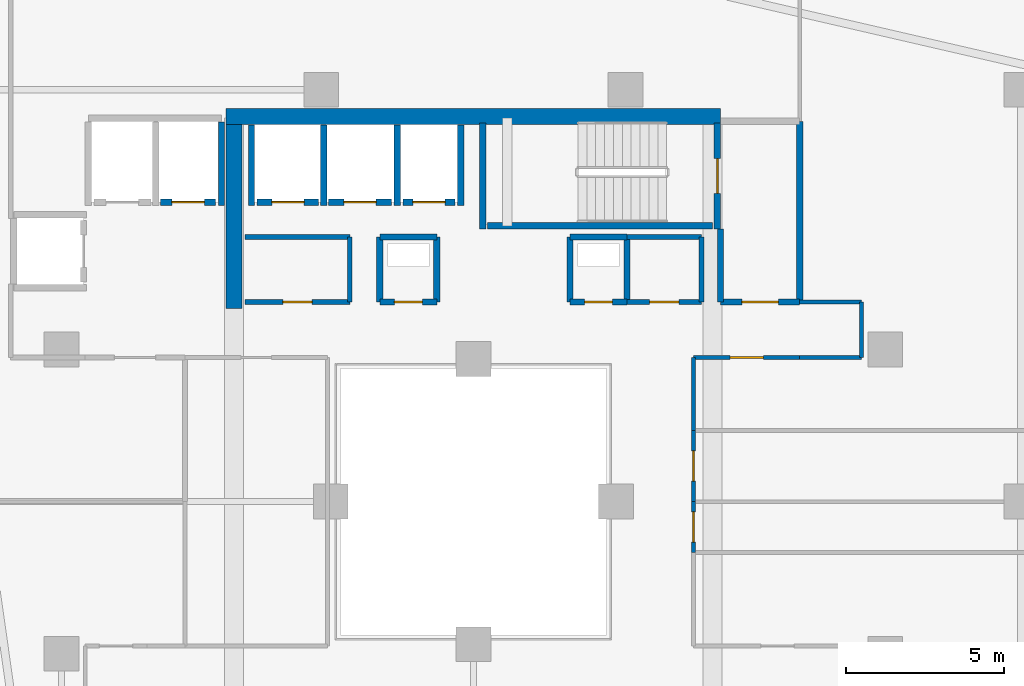
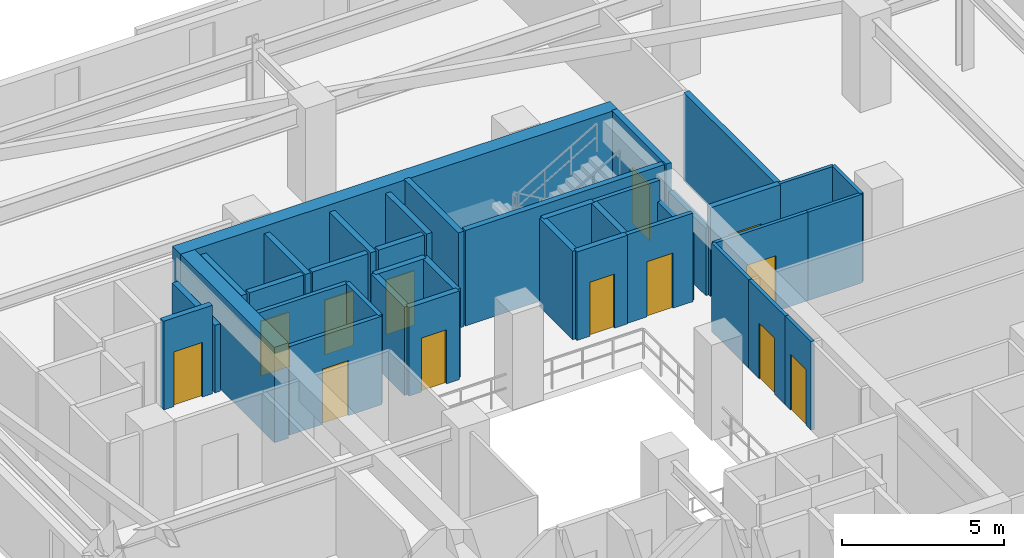
# One storey, part 21 of 33: 38 walls, 13 doors, 13 openings.
"""IFC4 building model written with IfcOpenShell, lengths in metres."""

from ifc_helpers import new_model, si_unit, direction, frame, frame_2d, origin, place, context, subcontext, project, spatial, rectangle, extrude, material, layer, layer_set, type_object, element, fill, save


model = new_model("IFC4")

# Units and contexts
model_context = context("Model", 3, precision=1e-05, world=origin(), true_north=direction((0.0, 1.0)))
body_context = subcontext(model_context, "Body", "Model", "MODEL_VIEW")
ifc_project = project(units=[si_unit("LENGTHUNIT", "METRE"), si_unit("AREAUNIT", "SQUARE_METRE"), si_unit("VOLUMEUNIT", "CUBIC_METRE"), si_unit("PLANEANGLEUNIT", "RADIAN"), si_unit("MASSUNIT", "GRAM", prefix="KILO")], contexts=[model_context])

# Site, building, storey
site_placement = place(None, origin())
site = spatial("IfcSite", under=ifc_project, at=site_placement, CompositionType="ELEMENT")
building_placement = place(site_placement, origin())
building = spatial("IfcBuilding", under=site, at=building_placement, Name="Thornwick Lancets Civic Towers", CompositionType="ELEMENT")
storey_placement = place(building_placement, frame((0.0, 0.0, 189.300048828125)))
storey = spatial("IfcBuildingStorey", under=building, at=storey_placement, Name="L50", CompositionType="ELEMENT", Elevation=189.300048828125)

# Wall, opening, door
ifc_material_1 = material(Name="Concrete blockwork C40/50", Category="masonry")
ifc_layer_1 = layer(ifc_material_1, 0.199951171875, Name="Concrete blockwork C40/50")
ifc_layer_set_1 = layer_set([ifc_layer_1], Name="Concrete blockwork C40/50")
wall_type_1 = type_object("IfcWallType", Name="WALL_COMP_200", PredefinedType="STANDARD", material=ifc_layer_set_1)
wall_1_placement = place(storey_placement, frame((24.919921875, 36.449951171875, 0.0), z_axis=(0.0, 0.0, 1.0), x_axis=(-1.0, 0.0, 0.0)))
wall_1 = element("IfcWall", 1, at=wall_1_placement, inside=storey, type_object=wall_type_1, Name="L50 Hoistway Front Wall FL-A2", PredefinedType="STANDARD", context=body_context, shape_type="SweptSolid", body=[
    extrude(rectangle(XDim=1.639892578125, YDim=0.199951171875, at=frame_2d((0.81982421875, 0.0))), origin(), (0.0, 0.0, 1.0), 3.33984375),
])
opening_1_placement = place(wall_1_placement, frame((0.31005859375, 0.0, 0.0)))
opening_1 = element("IfcOpeningElement", 2, at=opening_1_placement, cuts=wall_1, Name="Opening LD-FL-A2", PredefinedType="OPENING", context=body_context, shape_type="SweptSolid", body=[
    extrude(rectangle(XDim=1.02001953125, YDim=2.06005859375, at=frame_2d((0.510009765625, 1.030029296875))), frame((0.0, 0.10986328125, 0.0), z_axis=(0.0, -1.0, 0.0), x_axis=(1.0, 0.0, 0.0)), (0.0, 0.0, 1.0), 0.219970703125),
])
ifc_material_2 = material(Name="Brushed bronze stainless steel", Category="steel")
door_type_1 = type_object("IfcDoorType", Name="DOOR_LIFT_SLIDE", OperationType="SLIDING_TO_LEFT", PredefinedType="DOOR", material=ifc_material_2)
door_1_placement = place(opening_1_placement, origin())
door_1 = element("IfcDoor", 3, at=door_1_placement, inside=storey, type_object=door_type_1, Name="L50 Sliding Lift Landing Door LD-FL-A2", OperationType="SLIDING_TO_LEFT", OverallHeight=2.06005859375, OverallWidth=1.02001953125, PredefinedType="DOOR", context=body_context, shape_type="SweptSolid", body=[
    extrude(rectangle(XDim=1.02001953125, YDim=2.06005859375, at=frame_2d((0.510009765625, 1.030029296875))), frame((0.0, 0.02490234375, 0.0), z_axis=(0.0, -1.0, 0.0), x_axis=(1.0, 0.0, 0.0)), (0.0, 0.0, 1.0), 0.050048828125),
])
fill(opening_1, door_1)

wall_2_placement = place(storey_placement, frame((22.919921875, 36.449951171875, 0.0), z_axis=(0.0, 0.0, 1.0), x_axis=(-1.0, 0.0, 0.0)))
wall_2 = element("IfcWall", 4, at=wall_2_placement, inside=storey, type_object=wall_type_1, Name="L50 Hoistway Front Wall PL-AH2", PredefinedType="STANDARD", context=body_context, shape_type="SweptSolid", body=[
    extrude(rectangle(XDim=1.989990234375, YDim=0.199951171875, at=frame_2d((0.9951171875, 0.0))), origin(), (0.0, 0.0, 1.0), 3.33984375),
])
opening_2_placement = place(wall_2_placement, frame((0.485107421875, 0.0, 0.0)))
opening_2 = element("IfcOpeningElement", 5, at=opening_2_placement, cuts=wall_2, Name="Opening LD-PL-AH2", PredefinedType="OPENING", context=body_context, shape_type="SweptSolid", body=[
    extrude(rectangle(XDim=1.02001953125, YDim=2.06005859375, at=frame_2d((0.510009765625, 1.030029296875))), frame((0.0, 0.10986328125, 0.0), z_axis=(0.0, -1.0, 0.0), x_axis=(1.0, 0.0, 0.0)), (0.0, 0.0, 1.0), 0.219970703125),
])
door_2_placement = place(opening_2_placement, origin())
door_2 = element("IfcDoor", 6, at=door_2_placement, inside=storey, type_object=door_type_1, Name="L50 Sliding Lift Landing Door LD-PL-AH2", OperationType="SLIDING_TO_LEFT", OverallHeight=2.06005859375, OverallWidth=1.02001953125, PredefinedType="DOOR", context=body_context, shape_type="SweptSolid", body=[
    extrude(rectangle(XDim=1.02001953125, YDim=2.06005859375, at=frame_2d((0.510009765625, 1.030029296875))), frame((0.0, 0.02490234375, 0.0), z_axis=(0.0, -1.0, 0.0), x_axis=(1.0, 0.0, 0.0)), (0.0, 0.0, 1.0), 0.050048828125),
])
fill(opening_2, door_2)

wall_3_placement = place(storey_placement, frame((20.6201171875, 36.449951171875, 0.0), z_axis=(0.0, 0.0, 1.0), x_axis=(-1.0, 0.0, 0.0)))
wall_3 = element("IfcWall", 7, at=wall_3_placement, inside=storey, type_object=wall_type_1, Name="L50 Hoistway Front Wall PL-AH3", PredefinedType="STANDARD", context=body_context, shape_type="SweptSolid", body=[
    extrude(rectangle(XDim=1.940185546875, YDim=0.199951171875, at=frame_2d((0.97021484375, 0.0))), origin(), (0.0, 0.0, 1.0), 3.33984375),
])
opening_3_placement = place(wall_3_placement, frame((0.4599609375, 0.0, 0.0)))
opening_3 = element("IfcOpeningElement", 8, at=opening_3_placement, cuts=wall_3, Name="Opening LD-PL-AH3", PredefinedType="OPENING", context=body_context, shape_type="SweptSolid", body=[
    extrude(rectangle(XDim=1.02001953125, YDim=2.06005859375, at=frame_2d((0.510009765625, 1.030029296875))), frame((0.0, 0.10986328125, 0.0), z_axis=(0.0, -1.0, 0.0), x_axis=(1.0, 0.0, 0.0)), (0.0, 0.0, 1.0), 0.219970703125),
])
door_3_placement = place(opening_3_placement, origin())
door_3 = element("IfcDoor", 9, at=door_3_placement, inside=storey, type_object=door_type_1, Name="L50 Sliding Lift Landing Door LD-PL-AH3", OperationType="SLIDING_TO_LEFT", OverallHeight=2.06005859375, OverallWidth=1.02001953125, PredefinedType="DOOR", context=body_context, shape_type="SweptSolid", body=[
    extrude(rectangle(XDim=1.02001953125, YDim=2.06005859375, at=frame_2d((0.510009765625, 1.030029296875))), frame((0.0, 0.02490234375, 0.0), z_axis=(0.0, -1.0, 0.0), x_axis=(1.0, 0.0, 0.0)), (0.0, 0.0, 1.0), 0.050048828125),
])
fill(opening_3, door_3)

wall_4_placement = place(storey_placement, frame((17.3701171875, 36.449951171875, 0.0), z_axis=(0.0, 0.0, 1.0), x_axis=(-1.0, 0.0, 0.0)))
wall_4 = element("IfcWall", 10, at=wall_4_placement, inside=storey, type_object=wall_type_1, Name="L50 Hoistway Front Wall PL-AM1", PredefinedType="STANDARD", context=body_context, shape_type="SweptSolid", body=[
    extrude(rectangle(XDim=1.740234375, YDim=0.199951171875, at=frame_2d((0.8701171875, 0.0))), origin(), (0.0, 0.0, 1.0), 3.33984375),
])
opening_4_placement = place(wall_4_placement, frame((0.360107421875, 0.0, 0.0)))
opening_4 = element("IfcOpeningElement", 11, at=opening_4_placement, cuts=wall_4, Name="Opening LD-PL-AM1", PredefinedType="OPENING", context=body_context, shape_type="SweptSolid", body=[
    extrude(rectangle(XDim=1.02001953125, YDim=2.06005859375, at=frame_2d((0.510009765625, 1.030029296875))), frame((0.0, 0.10986328125, 0.0), z_axis=(0.0, -1.0, 0.0), x_axis=(1.0, 0.0, 0.0)), (0.0, 0.0, 1.0), 0.219970703125),
])
door_4_placement = place(opening_4_placement, origin())
door_4 = element("IfcDoor", 12, at=door_4_placement, inside=storey, type_object=door_type_1, Name="L50 Sliding Lift Landing Door LD-PL-AM1", OperationType="SLIDING_TO_LEFT", OverallHeight=2.06005859375, OverallWidth=1.02001953125, PredefinedType="DOOR", context=body_context, shape_type="SweptSolid", body=[
    extrude(rectangle(XDim=1.02001953125, YDim=2.06005859375, at=frame_2d((0.510009765625, 1.030029296875))), frame((0.0, 0.02490234375, 0.0), z_axis=(0.0, -1.0, 0.0), x_axis=(1.0, 0.0, 0.0)), (0.0, 0.0, 1.0), 0.050048828125),
])
fill(opening_4, door_4)

# Walls
for number, where, z_axis, x_axis, name in (
    (13, (25.10009765625, 36.35205078125, 0.0), (0.0, 0.0, 1.0), (0.0, 1.0, 0.0), "L50 Hoistway Shaft Wall FL-A2 E"),
    (14, (23.10009765625, 36.35205078125, 0.0), (0.0, 0.0, 1.0), (0.0, 1.0, 0.0), "L50 Hoistway Shaft Wall FL-A2 W"),
    (15, (20.77490234375, 36.35205078125, 0.0), (0.0, 0.0, 1.0), (0.0, 1.0, 0.0), "L50 Hoistway Shaft Wall PL-AH2 W"),
    (16, (18.5, 36.35205078125, 0.0), (0.0, 0.0, 1.0), (0.0, 1.0, 0.0), "L50 Hoistway Shaft Wall PL-AH3 W"),
):
    element("IfcWall", number, at=place(storey_placement, frame(where, z_axis=z_axis, x_axis=x_axis)), inside=storey, type_object=wall_type_1, Name=name, PredefinedType="STANDARD", context=body_context, shape_type="SweptSolid", body=[
        extrude(rectangle(XDim=2.535888671875, YDim=0.199951171875, at=frame_2d((1.26806640625, 0.0))), origin(), (0.0, 0.0, 1.0), 3.33984375),
    ])
wall_5_placement = place(storey_placement, frame((17.550048828125, 36.35205078125, 0.0), z_axis=(0.0, 0.0, 1.0), x_axis=(0.0, 1.0, 0.0)))
element("IfcWall", 17, at=wall_5_placement, inside=storey, type_object=wall_type_1, Name="L50 Hoistway Shaft Wall PL-AM1 E", PredefinedType="STANDARD", context=body_context, shape_type="SweptSolid", body=[
    extrude(rectangle(XDim=2.635986328125, YDim=0.199951171875, at=frame_2d((1.31787109375, 0.0))), origin(), (0.0, 0.0, 1.0), 2.544921875),
])

# Wall, opening, door
wall_6_placement = place(storey_placement, frame((33.300048828125, 33.300048828125, 0.0), z_axis=(0.0, 0.0, 1.0), x_axis=(1.0, 0.0, 0.0)))
wall_6 = element("IfcWall", 18, at=wall_6_placement, inside=storey, type_object=wall_type_1, Name="L50 Partition L50-A-FFLOB2 E1", PredefinedType="STANDARD", context=body_context, shape_type="SweptSolid", body=[
    extrude(rectangle(XDim=2.5, YDim=0.199951171875, at=frame_2d((1.25, 0.0))), origin(), (0.0, 0.0, 1.0), 3.33984375),
])
opening_5_placement = place(wall_6_placement, frame((0.675048828125, 0.0, 0.0)))
opening_5 = element("IfcOpeningElement", 19, at=opening_5_placement, cuts=wall_6, Name="Opening D-L50-2206", PredefinedType="OPENING", context=body_context, shape_type="SweptSolid", body=[
    extrude(rectangle(XDim=1.14990234375, YDim=2.10009765625, at=frame_2d((0.574951171875, 1.050048828125))), frame((0.0, 0.10986328125, 0.0), z_axis=(0.0, -1.0, 0.0), x_axis=(1.0, 0.0, 0.0)), (0.0, 0.0, 1.0), 0.219970703125),
])
ifc_material_3 = material(Name="Glazed fire-resisting steel", Category="steel")
door_type_2 = type_object("IfcDoorType", Name="DOOR_LOBBY_FD60", OperationType="NOTDEFINED", PredefinedType="DOOR", material=ifc_material_3)
door_5_placement = place(opening_5_placement, origin())
door_5 = element("IfcDoor", 20, at=door_5_placement, inside=storey, type_object=door_type_2, Name="L50 North Firefighting Lobby 2 Door", OperationType="SINGLE_SWING_LEFT", OverallHeight=2.10009765625, OverallWidth=1.14990234375, PredefinedType="DOOR", context=body_context, shape_type="SweptSolid", body=[
    extrude(rectangle(XDim=1.14990234375, YDim=2.10009765625, at=frame_2d((0.574951171875, 1.050048828125))), frame((0.0, 0.02490234375, 0.0), z_axis=(0.0, -1.0, 0.0), x_axis=(1.0, 0.0, 0.0)), (0.0, 0.0, 1.0), 0.050048828125),
])
fill(opening_5, door_5)

# Walls
wall_7_placement = place(storey_placement, frame((35.800048828125, 33.300048828125, 0.0), z_axis=(0.0, 0.0, 1.0), x_axis=(0.0, 1.0, 0.0)))
element("IfcWall", 21, at=wall_7_placement, inside=storey, type_object=wall_type_1, Name="L50 Partition L50-A-FFLOB2 E2", PredefinedType="STANDARD", context=body_context, shape_type="SweptSolid", body=[
    extrude(rectangle(XDim=5.699951171875, YDim=0.199951171875, at=frame_2d((2.85009765625, 0.0))), origin(), (0.0, 0.0, 1.0), 3.33984375),
])
wall_8_placement = place(storey_placement, frame((33.300048828125, 35.60009765625, 0.0), z_axis=(0.0, 0.0, 1.0), x_axis=(0.0, -1.0, 0.0)))
element("IfcWall", 22, at=wall_8_placement, inside=storey, type_object=wall_type_1, Name="L50 Partition L50-A-FFLOB2 E4", PredefinedType="STANDARD", context=body_context, shape_type="SweptSolid", body=[
    extrude(rectangle(XDim=2.300048828125, YDim=0.199951171875, at=frame_2d((1.14990234375, 0.0))), origin(), (0.0, 0.0, 1.0), 2.544921875),
])

# Wall, opening, door
wall_9_placement = place(storey_placement, frame((22.550048828125, 33.300048828125, 0.0), z_axis=(0.0, 0.0, 1.0), x_axis=(1.0, 0.0, 0.0)))
wall_9 = element("IfcWall", 23, at=wall_9_placement, inside=storey, type_object=wall_type_1, Name="L50 Partition L50-A-DUCT2 E1", PredefinedType="STANDARD", context=body_context, shape_type="SweptSolid", body=[
    extrude(rectangle(XDim=1.800048828125, YDim=0.199951171875, at=frame_2d((0.89990234375, 0.0))), origin(), (0.0, 0.0, 1.0), 3.33984375),
])
opening_6_placement = place(wall_9_placement, frame((0.4599609375, 0.0, 0.0)))
opening_6 = element("IfcOpeningElement", 24, at=opening_6_placement, cuts=wall_9, Name="Opening D-L50-2209", PredefinedType="OPENING", context=body_context, shape_type="SweptSolid", body=[
    extrude(rectangle(XDim=0.8798828125, YDim=2.0400390625, at=frame_2d((0.43994140625, 1.02001953125))), frame((0.0, 0.10986328125, 0.0), z_axis=(0.0, -1.0, 0.0), x_axis=(1.0, 0.0, 0.0)), (0.0, 0.0, 1.0), 0.219970703125),
])
ifc_material_4 = material(Name="Steel riser access doorset", Category="steel")
door_type_3 = type_object("IfcDoorType", Name="DOOR_RISER_850", OperationType="NOTDEFINED", PredefinedType="DOOR", material=ifc_material_4)
door_6_placement = place(opening_6_placement, origin())
door_6 = element("IfcDoor", 25, at=door_6_placement, inside=storey, type_object=door_type_3, Name="L50 North Service Duct 2 Door", OperationType="SINGLE_SWING_RIGHT", OverallHeight=2.0400390625, OverallWidth=0.8798828125, PredefinedType="DOOR", context=body_context, shape_type="SweptSolid", body=[
    extrude(rectangle(XDim=0.8798828125, YDim=2.0400390625, at=frame_2d((0.43994140625, 1.02001953125))), frame((0.0, 0.02490234375, 0.0), z_axis=(0.0, -1.0, 0.0), x_axis=(1.0, 0.0, 0.0)), (0.0, 0.0, 1.0), 0.050048828125),
])
fill(opening_6, door_6)

# Walls
wall_10_placement = place(storey_placement, frame((24.35009765625, 33.300048828125, 0.0), z_axis=(0.0, 0.0, 1.0), x_axis=(0.0, 1.0, 0.0)))
element("IfcWall", 26, at=wall_10_placement, inside=storey, type_object=wall_type_1, Name="L50 Partition L50-A-DUCT2 E2", PredefinedType="STANDARD", context=body_context, shape_type="SweptSolid", body=[
    extrude(rectangle(XDim=2.050048828125, YDim=0.199951171875, at=frame_2d((1.02490234375, 0.0))), origin(), (0.0, 0.0, 1.0), 3.33984375),
])
wall_11_placement = place(storey_placement, frame((24.35009765625, 35.35009765625, 0.0), z_axis=(0.0, 0.0, 1.0), x_axis=(-1.0, 0.0, 0.0)))
element("IfcWall", 27, at=wall_11_placement, inside=storey, type_object=wall_type_1, Name="L50 Partition L50-A-DUCT2 E3", PredefinedType="STANDARD", context=body_context, shape_type="SweptSolid", body=[
    extrude(rectangle(XDim=1.800048828125, YDim=0.199951171875, at=frame_2d((0.89990234375, 0.0))), origin(), (0.0, 0.0, 1.0), 3.33984375),
])
wall_12_placement = place(storey_placement, frame((22.550048828125, 35.35009765625, 0.0), z_axis=(0.0, 0.0, 1.0), x_axis=(0.0, -1.0, 0.0)))
element("IfcWall", 28, at=wall_12_placement, inside=storey, type_object=wall_type_1, Name="L50 Partition L50-A-DUCT2 E4", PredefinedType="STANDARD", context=body_context, shape_type="SweptSolid", body=[
    extrude(rectangle(XDim=2.050048828125, YDim=0.199951171875, at=frame_2d((1.02490234375, 0.0))), origin(), (0.0, 0.0, 1.0), 3.33984375),
])

# Wall, opening, door
wall_13_placement = place(storey_placement, frame((28.550048828125, 33.300048828125, 0.0), z_axis=(0.0, 0.0, 1.0), x_axis=(1.0, 0.0, 0.0)))
wall_13 = element("IfcWall", 29, at=wall_13_placement, inside=storey, type_object=wall_type_1, Name="L50 Partition L50-A-RISER2 E1", PredefinedType="STANDARD", context=body_context, shape_type="SweptSolid", body=[
    extrude(rectangle(XDim=1.800048828125, YDim=0.199951171875, at=frame_2d((0.89990234375, 0.0))), origin(), (0.0, 0.0, 1.0), 3.33984375),
])
opening_7_placement = place(wall_13_placement, frame((0.4599609375, 0.0, 0.0)))
opening_7 = element("IfcOpeningElement", 30, at=opening_7_placement, cuts=wall_13, Name="Opening D-L50-2210", PredefinedType="OPENING", context=body_context, shape_type="SweptSolid", body=[
    extrude(rectangle(XDim=0.8798828125, YDim=2.0400390625, at=frame_2d((0.43994140625, 1.02001953125))), frame((0.0, 0.10986328125, 0.0), z_axis=(0.0, -1.0, 0.0), x_axis=(1.0, 0.0, 0.0)), (0.0, 0.0, 1.0), 0.219970703125),
])
door_7_placement = place(opening_7_placement, origin())
door_7 = element("IfcDoor", 31, at=door_7_placement, inside=storey, type_object=door_type_3, Name="L50 North Service Riser 2 Door", OperationType="SINGLE_SWING_LEFT", OverallHeight=2.0400390625, OverallWidth=0.8798828125, PredefinedType="DOOR", context=body_context, shape_type="SweptSolid", body=[
    extrude(rectangle(XDim=0.8798828125, YDim=2.0400390625, at=frame_2d((0.43994140625, 1.02001953125))), frame((0.0, 0.02490234375, 0.0), z_axis=(0.0, -1.0, 0.0), x_axis=(1.0, 0.0, 0.0)), (0.0, 0.0, 1.0), 0.050048828125),
])
fill(opening_7, door_7)

# Walls
wall_14_placement = place(storey_placement, frame((30.35009765625, 33.300048828125, 0.0), z_axis=(0.0, 0.0, 1.0), x_axis=(0.0, 1.0, 0.0)))
element("IfcWall", 32, at=wall_14_placement, inside=storey, type_object=wall_type_1, Name="L50 Partition L50-A-RISER2 E2", PredefinedType="STANDARD", context=body_context, shape_type="SweptSolid", body=[
    extrude(rectangle(XDim=2.050048828125, YDim=0.199951171875, at=frame_2d((1.02490234375, 0.0))), origin(), (0.0, 0.0, 1.0), 3.33984375),
])
wall_15_placement = place(storey_placement, frame((30.35009765625, 35.35009765625, 0.0), z_axis=(0.0, 0.0, 1.0), x_axis=(-1.0, 0.0, 0.0)))
element("IfcWall", 33, at=wall_15_placement, inside=storey, type_object=wall_type_1, Name="L50 Partition L50-A-RISER2 E3", PredefinedType="STANDARD", context=body_context, shape_type="SweptSolid", body=[
    extrude(rectangle(XDim=1.800048828125, YDim=0.199951171875, at=frame_2d((0.89990234375, 0.0))), origin(), (0.0, 0.0, 1.0), 3.33984375),
])
wall_16_placement = place(storey_placement, frame((28.550048828125, 35.35009765625, 0.0), z_axis=(0.0, 0.0, 1.0), x_axis=(0.0, -1.0, 0.0)))
element("IfcWall", 34, at=wall_16_placement, inside=storey, type_object=wall_type_1, Name="L50 Partition L50-A-RISER2 E4", PredefinedType="STANDARD", context=body_context, shape_type="SweptSolid", body=[
    extrude(rectangle(XDim=2.050048828125, YDim=0.199951171875, at=frame_2d((1.02490234375, 0.0))), origin(), (0.0, 0.0, 1.0), 3.33984375),
])
ifc_material_5 = material(Name="Concrete C50/60", Category="concrete")
ifc_layer_2 = layer(ifc_material_5, 0.5, Name="Concrete C50/60")
ifc_layer_set_2 = layer_set([ifc_layer_2], Name="Concrete C50/60")
wall_type_2 = type_object("IfcWallType", Name="WALL_CORE_500", PredefinedType="SHEAR", material=ifc_layer_set_2)
wall_17_placement = place(storey_placement, frame((17.699951171875, 39.14990234375, 0.0), z_axis=(0.0, 0.0, 1.0), x_axis=(1.0, 0.0, 0.0)))
element("IfcWall", 35, at=wall_17_placement, inside=storey, type_object=wall_type_2, Name="L50 Split Core A2 Shear Wall N", PredefinedType="SHEAR", context=body_context, shape_type="SweptSolid", body=[
    extrude(rectangle(XDim=15.60009765625, YDim=0.5, at=frame_2d((7.800048828125, 0.0))), origin(), (0.0, 0.0, 1.0), 3.599853515625),
])
wall_18_placement = place(storey_placement, frame((17.949951171875, 33.10009765625, 0.0), z_axis=(0.0, 0.0, 1.0), x_axis=(0.0, 1.0, 0.0)))
element("IfcWall", 36, at=wall_18_placement, inside=storey, type_object=wall_type_2, Name="L50 Split Core A2 Shear Wall W", PredefinedType="SHEAR", context=body_context, shape_type="SweptSolid", body=[
    extrude(rectangle(XDim=5.7998046875, YDim=0.5, at=frame_2d((2.89990234375, 0.0))), origin(), (0.0, 0.0, 1.0), 3.599853515625),
])

# Wall, opening, door
ifc_material_6 = material(Name="Acoustic gypsum board partition")
ifc_layer_3 = layer(ifc_material_6, 0.1201171875, Name="Acoustic gypsum board partition")
ifc_layer_set_3 = layer_set([ifc_layer_3], Name="Acoustic gypsum board partition")
wall_type_3 = type_object("IfcWallType", Name="WALL_PART_120", PredefinedType="PARTITIONING", material=ifc_layer_set_3)
wall_19_placement = place(storey_placement, frame((32.449951171875, 25.39990234375, 0.0), z_axis=(0.0, 0.0, 1.0), x_axis=(0.0, 1.0, 0.0)))
wall_19 = element("IfcWall", 37, at=wall_19_placement, inside=storey, type_object=wall_type_3, Name="L50 Partition L50-A-E2 E1", PredefinedType="PARTITIONING", context=body_context, shape_type="SweptSolid", body=[
    extrude(rectangle(XDim=1.60009765625, YDim=0.1201171875, at=frame_2d((0.800048828125, 0.0))), origin(), (0.0, 0.0, 1.0), 3.33984375),
])
opening_8_placement = place(wall_19_placement, frame((0.324951171875, 0.0, 0.0)))
opening_8 = element("IfcOpeningElement", 38, at=opening_8_placement, cuts=wall_19, Name="Opening D-L50-2235", PredefinedType="OPENING", context=body_context, shape_type="SweptSolid", body=[
    extrude(rectangle(XDim=0.949951171875, YDim=2.10009765625, at=frame_2d((0.47509765625, 1.050048828125))), frame((0.0, 0.070068359375, 0.0), z_axis=(0.0, -1.0, 0.0), x_axis=(1.0, 0.0, 0.0)), (0.0, 0.0, 1.0), 0.14013671875),
])
ifc_material_7 = material(Name="European oak acoustic doorset")
door_type_4 = type_object("IfcDoorType", Name="DOOR_OFFICE_950", OperationType="NOTDEFINED", PredefinedType="DOOR", material=ifc_material_7)
door_8_placement = place(opening_8_placement, origin())
door_8 = element("IfcDoor", 39, at=door_8_placement, inside=storey, type_object=door_type_4, Name="L50 Tower A Visitors Reception and Waiting Door", OperationType="SINGLE_SWING_RIGHT", OverallHeight=2.10009765625, OverallWidth=0.949951171875, PredefinedType="DOOR", context=body_context, shape_type="SweptSolid", body=[
    extrude(rectangle(XDim=0.949951171875, YDim=2.10009765625, at=frame_2d((0.47509765625, 1.050048828125))), frame((0.0, 0.02490234375, 0.0), z_axis=(0.0, -1.0, 0.0), x_axis=(1.0, 0.0, 0.0)), (0.0, 0.0, 1.0), 0.050048828125),
])
fill(opening_8, door_8)

wall_20_placement = place(storey_placement, frame((32.449951171875, 27.0, 0.0), z_axis=(0.0, 0.0, 1.0), x_axis=(0.0, 1.0, 0.0)))
wall_20 = element("IfcWall", 40, at=wall_20_placement, inside=storey, type_object=wall_type_3, Name="L50 Partition L50-A-E3 E1", PredefinedType="PARTITIONING", context=body_context, shape_type="SweptSolid", body=[
    extrude(rectangle(XDim=2.25, YDim=0.1201171875, at=frame_2d((1.125, 0.0))), origin(), (0.0, 0.0, 1.0), 3.33984375),
])
opening_9_placement = place(wall_20_placement, frame((0.64990234375, 0.0, 0.0)))
opening_9 = element("IfcOpeningElement", 41, at=opening_9_placement, cuts=wall_20, Name="Opening D-L50-2236", PredefinedType="OPENING", context=body_context, shape_type="SweptSolid", body=[
    extrude(rectangle(XDim=0.949951171875, YDim=2.10009765625, at=frame_2d((0.47509765625, 1.050048828125))), frame((0.0, 0.070068359375, 0.0), z_axis=(0.0, -1.0, 0.0), x_axis=(1.0, 0.0, 0.0)), (0.0, 0.0, 1.0), 0.14013671875),
])
door_9_placement = place(opening_9_placement, origin())
door_9 = element("IfcDoor", 42, at=door_9_placement, inside=storey, type_object=door_type_4, Name="L50 Tower A Civic Seminar Room Door", OperationType="SINGLE_SWING_LEFT", OverallHeight=2.10009765625, OverallWidth=0.949951171875, PredefinedType="DOOR", context=body_context, shape_type="SweptSolid", body=[
    extrude(rectangle(XDim=0.949951171875, YDim=2.10009765625, at=frame_2d((0.47509765625, 1.050048828125))), frame((0.0, 0.02490234375, 0.0), z_axis=(0.0, -1.0, 0.0), x_axis=(1.0, 0.0, 0.0)), (0.0, 0.0, 1.0), 0.050048828125),
])
fill(opening_9, door_9)

wall_21_placement = place(storey_placement, frame((32.449951171875, 31.550048828125, 0.0), z_axis=(0.0, 0.0, 1.0), x_axis=(1.0, 0.0, 0.0)))
wall_21 = element("IfcWall", 43, at=wall_21_placement, inside=storey, type_object=wall_type_3, Name="L50 Partition L50-A-E4 E1", PredefinedType="PARTITIONING", context=body_context, shape_type="SweptSolid", body=[
    extrude(rectangle(XDim=3.35009765625, YDim=0.1201171875, at=frame_2d((1.675048828125, 0.0))), origin(), (0.0, 0.0, 1.0), 3.33984375),
])
opening_10_placement = place(wall_21_placement, frame((1.14990234375, 0.0, 0.0)))
opening_10 = element("IfcOpeningElement", 44, at=opening_10_placement, cuts=wall_21, Name="Opening D-L50-2237", PredefinedType="OPENING", context=body_context, shape_type="SweptSolid", body=[
    extrude(rectangle(XDim=1.050048828125, YDim=2.10009765625, at=frame_2d((0.52490234375, 1.050048828125))), frame((0.0, 0.070068359375, 0.0), z_axis=(0.0, -1.0, 0.0), x_axis=(1.0, 0.0, 0.0)), (0.0, 0.0, 1.0), 0.14013671875),
])
ifc_material_8 = material(Name="Glazed European oak executive doorset")
door_type_5 = type_object("IfcDoorType", Name="DOOR_OFFICE_1050", OperationType="NOTDEFINED", PredefinedType="DOOR", material=ifc_material_8)
door_10_placement = place(opening_10_placement, origin())
door_10 = element("IfcDoor", 45, at=door_10_placement, inside=storey, type_object=door_type_5, Name="L50 Tower A Counsel Chambers Office E4 Door", OperationType="SINGLE_SWING_RIGHT", OverallHeight=2.10009765625, OverallWidth=1.050048828125, PredefinedType="DOOR", context=body_context, shape_type="SweptSolid", body=[
    extrude(rectangle(XDim=1.050048828125, YDim=2.10009765625, at=frame_2d((0.52490234375, 1.050048828125))), frame((0.0, 0.02490234375, 0.0), z_axis=(0.0, -1.0, 0.0), x_axis=(1.0, 0.0, 0.0)), (0.0, 0.0, 1.0), 0.050048828125),
])
fill(opening_10, door_10)

# Walls
wall_22_placement = place(storey_placement, frame((35.800048828125, 31.550048828125, 0.0), z_axis=(0.0, 0.0, 1.0), x_axis=(1.0, 0.0, 0.0)))
element("IfcWall", 46, at=wall_22_placement, inside=storey, type_object=wall_type_3, Name="L50 Partition L50-A-E4 E2", PredefinedType="PARTITIONING", context=body_context, shape_type="SweptSolid", body=[
    extrude(rectangle(XDim=1.949951171875, YDim=0.1201171875, at=frame_2d((0.97509765625, 0.0))), origin(), (0.0, 0.0, 1.0), 3.33984375),
])
wall_23_placement = place(storey_placement, frame((37.75, 31.550048828125, 0.0), z_axis=(0.0, 0.0, 1.0), x_axis=(0.0, 1.0, 0.0)))
element("IfcWall", 47, at=wall_23_placement, inside=storey, type_object=wall_type_3, Name="L50 Partition L50-A-E4 E3", PredefinedType="PARTITIONING", context=body_context, shape_type="SweptSolid", body=[
    extrude(rectangle(XDim=1.75, YDim=0.1201171875, at=frame_2d((0.875, 0.0))), origin(), (0.0, 0.0, 1.0), 3.33984375),
])
wall_24_placement = place(storey_placement, frame((37.75, 33.300048828125, 0.0), z_axis=(0.0, 0.0, 1.0), x_axis=(-1.0, 0.0, 0.0)))
element("IfcWall", 48, at=wall_24_placement, inside=storey, type_object=wall_type_3, Name="L50 Partition L50-A-E4 E4", PredefinedType="PARTITIONING", context=body_context, shape_type="SweptSolid", body=[
    extrude(rectangle(XDim=1.949951171875, YDim=0.1201171875, at=frame_2d((0.97509765625, 0.0))), origin(), (0.0, 0.0, 1.0), 3.33984375),
])
wall_25_placement = place(storey_placement, frame((32.449951171875, 29.25, 0.0), z_axis=(0.0, 0.0, 1.0), x_axis=(0.0, 1.0, 0.0)))
element("IfcWall", 49, at=wall_25_placement, inside=storey, type_object=wall_type_3, Name="L50 Partition L50-A-E4 E11", PredefinedType="PARTITIONING", context=body_context, shape_type="SweptSolid", body=[
    extrude(rectangle(XDim=2.300048828125, YDim=0.1201171875, at=frame_2d((1.14990234375, 0.0))), origin(), (0.0, 0.0, 1.0), 3.33984375),
])

# Wall, opening, door
ifc_material_9 = material(Name="Twin-stud acoustic gypsum board")
ifc_layer_4 = layer(ifc_material_9, 0.14990234375, Name="Twin-stud acoustic gypsum board")
ifc_layer_set_4 = layer_set([ifc_layer_4], Name="Twin-stud acoustic gypsum board")
wall_type_4 = type_object("IfcWallType", Name="WALL_PART_150", PredefinedType="PARTITIONING", material=ifc_layer_set_4)
wall_26_placement = place(storey_placement, frame((18.300048828125, 33.300048828125, 0.0), z_axis=(0.0, 0.0, 1.0), x_axis=(1.0, 0.0, 0.0)))
wall_26 = element("IfcWall", 50, at=wall_26_placement, inside=storey, type_object=wall_type_4, Name="L50 Partition L50-A-MWC E1", PredefinedType="PARTITIONING", context=body_context, shape_type="SweptSolid", body=[
    extrude(rectangle(XDim=3.300048828125, YDim=0.14990234375, at=frame_2d((1.64990234375, 0.0))), origin(), (0.0, 0.0, 1.0), 3.33984375),
])
opening_11_placement = place(wall_26_placement, frame((1.18994140625, 0.0, 0.0)))
opening_11 = element("IfcOpeningElement", 51, at=opening_11_placement, cuts=wall_26, Name="Opening D-L50-2215", PredefinedType="OPENING", context=body_context, shape_type="SweptSolid", body=[
    extrude(rectangle(XDim=0.919921875, YDim=2.080078125, at=frame_2d((0.4599609375, 1.0400390625))), frame((0.0, 0.0849609375, 0.0), z_axis=(0.0, -1.0, 0.0), x_axis=(1.0, 0.0, 0.0)), (0.0, 0.0, 1.0), 0.169921875),
])
ifc_material_10 = material(Name="Moisture-resistant oak doorset")
door_type_6 = type_object("IfcDoorType", Name="DOOR_WC_900", OperationType="NOTDEFINED", PredefinedType="DOOR", material=ifc_material_10)
door_11_placement = place(opening_11_placement, origin())
door_11 = element("IfcDoor", 52, at=door_11_placement, inside=storey, type_object=door_type_6, Name="L50 Tower A Male WC Door", OperationType="SINGLE_SWING_RIGHT", OverallHeight=2.080078125, OverallWidth=0.919921875, PredefinedType="DOOR", context=body_context, shape_type="SweptSolid", body=[
    extrude(rectangle(XDim=0.919921875, YDim=2.080078125, at=frame_2d((0.4599609375, 1.0400390625))), frame((0.0, 0.02490234375, 0.0), z_axis=(0.0, -1.0, 0.0), x_axis=(1.0, 0.0, 0.0)), (0.0, 0.0, 1.0), 0.050048828125),
])
fill(opening_11, door_11)

# Walls
wall_27_placement = place(storey_placement, frame((21.60009765625, 33.300048828125, 0.0), z_axis=(0.0, 0.0, 1.0), x_axis=(0.0, 1.0, 0.0)))
element("IfcWall", 53, at=wall_27_placement, inside=storey, type_object=wall_type_4, Name="L50 Partition L50-A-MWC E2", PredefinedType="PARTITIONING", context=body_context, shape_type="SweptSolid", body=[
    extrude(rectangle(XDim=2.050048828125, YDim=0.14990234375, at=frame_2d((1.02490234375, 0.0))), origin(), (0.0, 0.0, 1.0), 3.33984375),
])
wall_28_placement = place(storey_placement, frame((21.60009765625, 35.35009765625, 0.0), z_axis=(0.0, 0.0, 1.0), x_axis=(-1.0, 0.0, 0.0)))
element("IfcWall", 54, at=wall_28_placement, inside=storey, type_object=wall_type_4, Name="L50 Partition L50-A-MWC E3", PredefinedType="PARTITIONING", context=body_context, shape_type="SweptSolid", body=[
    extrude(rectangle(XDim=3.300048828125, YDim=0.14990234375, at=frame_2d((1.64990234375, 0.0))), origin(), (0.0, 0.0, 1.0), 3.33984375),
])
wall_29_placement = place(storey_placement, frame((32.699951171875, 35.35009765625, 0.0), z_axis=(0.0, 0.0, 1.0), x_axis=(0.0, -1.0, 0.0)))
element("IfcWall", 55, at=wall_29_placement, inside=storey, type_object=wall_type_4, Name="L50 Partition L50-A-FWC E1", PredefinedType="PARTITIONING", context=body_context, shape_type="SweptSolid", body=[
    extrude(rectangle(XDim=2.050048828125, YDim=0.14990234375, at=frame_2d((1.02490234375, 0.0))), origin(), (0.0, 0.0, 1.0), 2.544921875),
])

# Wall, opening, door
wall_30_placement = place(storey_placement, frame((32.699951171875, 33.300048828125, 0.0), z_axis=(0.0, 0.0, 1.0), x_axis=(-1.0, 0.0, 0.0)))
wall_30 = element("IfcWall", 56, at=wall_30_placement, inside=storey, type_object=wall_type_4, Name="L50 Partition L50-A-FWC E2", PredefinedType="PARTITIONING", context=body_context, shape_type="SweptSolid", body=[
    extrude(rectangle(XDim=2.349853515625, YDim=0.14990234375, at=frame_2d((1.1748046875, 0.0))), origin(), (0.0, 0.0, 1.0), 3.33984375),
])
opening_12_placement = place(wall_30_placement, frame((0.715087890625, 0.0, 0.0)))
opening_12 = element("IfcOpeningElement", 57, at=opening_12_placement, cuts=wall_30, Name="Opening D-L50-2216", PredefinedType="OPENING", context=body_context, shape_type="SweptSolid", body=[
    extrude(rectangle(XDim=0.919921875, YDim=2.080078125, at=frame_2d((0.4599609375, 1.0400390625))), frame((0.0, 0.0849609375, 0.0), z_axis=(0.0, -1.0, 0.0), x_axis=(1.0, 0.0, 0.0)), (0.0, 0.0, 1.0), 0.169921875),
])
door_12_placement = place(opening_12_placement, origin())
door_12 = element("IfcDoor", 58, at=door_12_placement, inside=storey, type_object=door_type_6, Name="L50 Tower A Female WC Door", OperationType="SINGLE_SWING_LEFT", OverallHeight=2.080078125, OverallWidth=0.919921875, PredefinedType="DOOR", context=body_context, shape_type="SweptSolid", body=[
    extrude(rectangle(XDim=0.919921875, YDim=2.080078125, at=frame_2d((0.4599609375, 1.0400390625))), frame((0.0, 0.02490234375, 0.0), z_axis=(0.0, -1.0, 0.0), x_axis=(1.0, 0.0, 0.0)), (0.0, 0.0, 1.0), 0.050048828125),
])
fill(opening_12, door_12)

# Wall
wall_31_placement = place(storey_placement, frame((30.35009765625, 35.35009765625, 0.0), z_axis=(0.0, 0.0, 1.0), x_axis=(1.0, 0.0, 0.0)))
element("IfcWall", 59, at=wall_31_placement, inside=storey, type_object=wall_type_4, Name="L50 Partition L50-A-FWC E4", PredefinedType="PARTITIONING", context=body_context, shape_type="SweptSolid", body=[
    extrude(rectangle(XDim=2.349853515625, YDim=0.14990234375, at=frame_2d((1.1748046875, 0.0))), origin(), (0.0, 0.0, 1.0), 3.33984375),
])

# Wall, opening, door
ifc_material_11 = material(Name="Concrete C40/50", Category="concrete")
ifc_layer_5 = layer(ifc_material_11, 0.199951171875, Name="Concrete C40/50")
ifc_layer_set_5 = layer_set([ifc_layer_5], Name="Concrete C40/50")
wall_type_5 = type_object("IfcWallType", Name="WALL_SHAFT_200", PredefinedType="SHEAR", material=ifc_layer_set_5)
wall_32_placement = place(storey_placement, frame((33.199951171875, 38.949951171875, 0.0), z_axis=(0.0, 0.0, 1.0), x_axis=(0.0, -1.0, 0.0)))
wall_32 = element("IfcWall", 60, at=wall_32_placement, inside=storey, type_object=wall_type_5, Name="L50 ST-A2 Fire Stair Core Wall NEAR", PredefinedType="SHEAR", context=body_context, shape_type="SweptSolid", body=[
    extrude(rectangle(XDim=3.349853515625, YDim=0.199951171875, at=frame_2d((1.6748046875, 0.0))), origin(), (0.0, 0.0, 1.0), 3.599853515625),
])
opening_13_placement = place(wall_32_placement, frame((1.125, 0.0, 0.0)))
opening_13 = element("IfcOpeningElement", 61, at=opening_13_placement, cuts=wall_32, Name="Opening D-ST-A2-L50", PredefinedType="OPENING", context=body_context, shape_type="SweptSolid", body=[
    extrude(rectangle(XDim=1.10009765625, YDim=2.10009765625, at=frame_2d((0.550048828125, 1.050048828125))), frame((0.0, 0.10986328125, 0.0), z_axis=(0.0, -1.0, 0.0), x_axis=(1.0, 0.0, 0.0)), (0.0, 0.0, 1.0), 0.219970703125),
])
ifc_material_12 = material(Name="Fire-resisting steel and hardwood", Category="steel")
door_type_7 = type_object("IfcDoorType", Name="DOOR_STAIR_FD60", OperationType="NOTDEFINED", PredefinedType="DOOR", material=ifc_material_12)
door_13_placement = place(opening_13_placement, origin())
door_13 = element("IfcDoor", 62, at=door_13_placement, inside=storey, type_object=door_type_7, Name="L50 ST-A2 Exit Stair Door", OperationType="SINGLE_SWING_LEFT", OverallHeight=2.10009765625, OverallWidth=1.10009765625, PredefinedType="DOOR", context=body_context, shape_type="SweptSolid", body=[
    extrude(rectangle(XDim=1.10009765625, YDim=2.10009765625, at=frame_2d((0.550048828125, 1.050048828125))), frame((0.0, 0.02490234375, 0.0), z_axis=(0.0, -1.0, 0.0), x_axis=(1.0, 0.0, 0.0)), (0.0, 0.0, 1.0), 0.050048828125),
])
fill(opening_13, door_13)

# Walls
wall_33_placement = place(storey_placement, frame((25.800048828125, 35.60009765625, 0.0), z_axis=(0.0, 0.0, 1.0), x_axis=(0.0, 1.0, 0.0)))
element("IfcWall", 63, at=wall_33_placement, inside=storey, type_object=wall_type_5, Name="L50 ST-A2 Fire Stair Core Wall FAR", PredefinedType="SHEAR", context=body_context, shape_type="SweptSolid", body=[
    extrude(rectangle(XDim=3.349853515625, YDim=0.199951171875, at=frame_2d((1.6748046875, 0.0))), origin(), (0.0, 0.0, 1.0), 3.599853515625),
])
wall_34_placement = place(storey_placement, frame((25.949951171875, 35.702880859375, 0.0), z_axis=(0.0, 0.0, 1.0), x_axis=(1.0, 0.0, 0.0)))
element("IfcWall", 64, at=wall_34_placement, inside=storey, type_object=wall_type_5, Name="L50 ST-A2 Fire Stair Core Wall RIGHT", PredefinedType="SHEAR", context=body_context, shape_type="SweptSolid", body=[
    extrude(rectangle(XDim=7.10009765625, YDim=0.199951171875, at=frame_2d((3.550048828125, 0.0))), origin(), (0.0, 0.0, 1.0), 3.599853515625),
])

save(model, "model.ifc")
